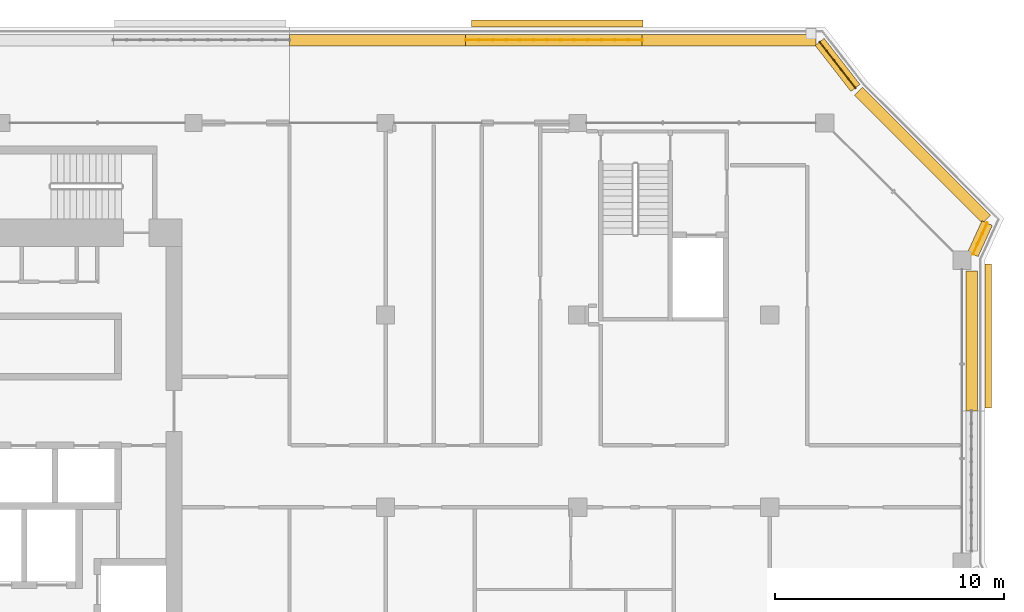
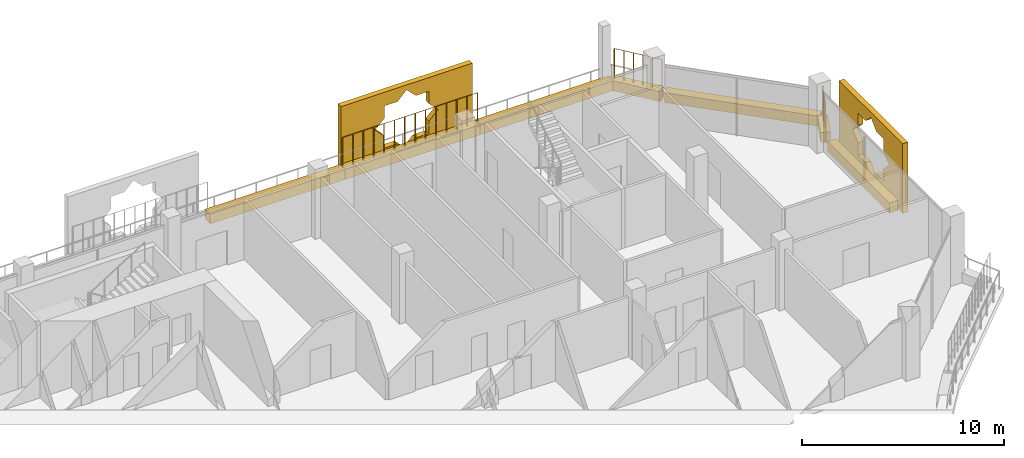
# One storey, part 22 of 22: 9 coverings, 3 railings.
"""IFC4 building model written with IfcOpenShell, lengths in metres."""

from ifc_helpers import new_model, si_unit, direction, frame, origin, origin_2d, place, context, subcontext, project, spatial, polyline, rectangle, circle, outline, extrude, material, material_profile, profile_set, type_object, element, save


model = new_model("IFC4")

# Units and contexts
model_context = context("Model", 3, precision=1e-05, world=origin(), true_north=direction((0.0, 1.0)))
body_context = subcontext(model_context, "Body", "Model", "MODEL_VIEW")
ifc_project = project(units=[si_unit("LENGTHUNIT", "METRE"), si_unit("AREAUNIT", "SQUARE_METRE"), si_unit("VOLUMEUNIT", "CUBIC_METRE"), si_unit("PLANEANGLEUNIT", "RADIAN"), si_unit("MASSUNIT", "GRAM", prefix="KILO")], contexts=[model_context])

# Site, building, storey
site_placement = place(None, origin())
site = spatial("IfcSite", under=ifc_project, at=site_placement, CompositionType="ELEMENT")
building_placement = place(site_placement, origin())
building = spatial("IfcBuilding", under=site, at=building_placement, Name="Kawkab Arch Medical Tower", CompositionType="ELEMENT")
storey_placement = place(building_placement, frame((0.0, 0.0, 298.60009765625)))
storey = spatial("IfcBuildingStorey", under=building, at=storey_placement, Name="L69", CompositionType="ELEMENT", Elevation=298.60009765625)

# Coverings
ifc_material_1 = material(Name="Bronze anodised aluminium mashrabiya panel, eight-point star pattern", Category="aluminium")
ifc_material_profile_1 = material_profile(ifc_material_1, outline(polyline([(-3.14990234375, -2.10009765625), (3.14990234375, -2.10009765625), (3.14990234375, 2.10009765625), (-3.14990234375, 2.10009765625), (-3.14990234375, -2.10009765625)]), holes=[polyline([(1.800048828125, 0.0), (1.272705078125, 0.527099609375), (1.272705078125, 1.272705078125), (0.527099609375, 1.272705078125), (0.0, 1.800048828125), (-0.527099609375, 1.272705078125), (-1.272705078125, 1.272705078125), (-1.272705078125, 0.527099609375), (-1.800048828125, 0.0), (-1.272705078125, -0.527099609375), (-1.272705078125, -1.272705078125), (-0.527099609375, -1.272705078125), (0.0, -1.800048828125), (0.527099609375, -1.272705078125), (1.272705078125, -1.272705078125), (1.272705078125, -0.527099609375), (1.800048828125, 0.0)])]), Name="Mashrabiya panel 6300x4200")
ifc_profile_set_1 = profile_set([ifc_material_profile_1], Name="Bronze anodised aluminium mashrabiya panel, eight-point star pattern")
covering_type_1 = type_object("IfcCoveringType", Name="Mashrabiya panel 6300 x 4200", PredefinedType="USERDEFINED", material=ifc_profile_set_1)
covering_1_placement = place(storey_placement, frame((59.800048828125, -9.31884765625, 1.699951171875), z_axis=(1.0, 0.0, 0.0), x_axis=(0.0, 1.0, 0.0)))
element("IfcCovering", 1, at=covering_1_placement, inside=storey, type_object=covering_type_1, Name="Mashrabiya panel L69.LOG-01-01.6", ObjectType="SCREEN", PredefinedType="USERDEFINED", context=body_context, shape_type="SweptSolid", body=[
    extrude(outline(polyline([(-3.14990234375, -2.10009765625), (3.14990234375, -2.10009765625), (3.14990234375, 2.10009765625), (-3.14990234375, 2.10009765625), (-3.14990234375, -2.10009765625)]), holes=[polyline([(1.800048828125, 0.0), (1.272705078125, 0.527099609375), (1.272705078125, 1.272705078125), (0.527099609375, 1.272705078125), (0.0, 1.800048828125), (-0.527099609375, 1.272705078125), (-1.272705078125, 1.272705078125), (-1.272705078125, 0.527099609375), (-1.800048828125, 0.0), (-1.272705078125, -0.527099609375), (-1.272705078125, -1.272705078125), (-0.527099609375, -1.272705078125), (0.0, -1.800048828125), (0.527099609375, -1.272705078125), (1.272705078125, -1.272705078125), (1.272705078125, -0.527099609375), (1.800048828125, 0.0)])]), origin(), (0.0, 0.0, 1.0), 0.300048828125),
])
ifc_material_2 = material(Name="Bronze anodised aluminium mashrabiya panel, eight-point star pattern", Category="aluminium")
ifc_material_profile_2 = material_profile(ifc_material_2, outline(polyline([(-3.75, -2.10009765625), (3.75, -2.10009765625), (3.75, 2.10009765625), (-3.75, 2.10009765625), (-3.75, -2.10009765625)]), holes=[polyline([(1.800048828125, 0.0), (1.272705078125, 0.527099609375), (1.272705078125, 1.272705078125), (0.527099609375, 1.272705078125), (0.0, 1.800048828125), (-0.527099609375, 1.272705078125), (-1.272705078125, 1.272705078125), (-1.272705078125, 0.527099609375), (-1.800048828125, 0.0), (-1.272705078125, -0.527099609375), (-1.272705078125, -1.272705078125), (-0.527099609375, -1.272705078125), (0.0, -1.800048828125), (0.527099609375, -1.272705078125), (1.272705078125, -1.272705078125), (1.272705078125, -0.527099609375), (1.800048828125, 0.0)])]), Name="Mashrabiya panel 7500x4200")
ifc_profile_set_2 = profile_set([ifc_material_profile_2], Name="Bronze anodised aluminium mashrabiya panel, eight-point star pattern")
covering_type_2 = type_object("IfcCoveringType", Name="Mashrabiya panel 7500 x 4200", PredefinedType="USERDEFINED", material=ifc_profile_set_2)
covering_2_placement = place(storey_placement, frame((41.09765625, 4.199951171875, 1.699951171875), z_axis=(0.0, 1.0, 0.0), x_axis=(-1.0, 0.0, 0.0)))
element("IfcCovering", 2, at=covering_2_placement, inside=storey, type_object=covering_type_2, Name="Mashrabiya panel L69.LOG-01-01.5", ObjectType="SCREEN", PredefinedType="USERDEFINED", context=body_context, shape_type="SweptSolid", body=[
    extrude(outline(polyline([(-3.75, -2.10009765625), (3.75, -2.10009765625), (3.75, 2.10009765625), (-3.75, 2.10009765625), (-3.75, -2.10009765625)]), holes=[polyline([(1.800048828125, 0.0), (1.272705078125, 0.527099609375), (1.272705078125, 1.272705078125), (0.527099609375, 1.272705078125), (0.0, 1.800048828125), (-0.527099609375, 1.272705078125), (-1.272705078125, 1.272705078125), (-1.272705078125, 0.527099609375), (-1.800048828125, 0.0), (-1.272705078125, -0.527099609375), (-1.272705078125, -1.272705078125), (-0.527099609375, -1.272705078125), (0.0, -1.800048828125), (0.527099609375, -1.272705078125), (1.272705078125, -1.272705078125), (1.272705078125, -0.527099609375), (1.800048828125, 0.0)])]), origin(), (0.0, 0.0, 1.0), 0.300048828125),
])
ifc_material_3 = material(Name="Planting soil in a precast trough", Category="concrete")
ifc_material_profile_3 = material_profile(ifc_material_3, rectangle(XDim=0.5, YDim=0.60009765625, at=origin_2d()), Name="Trough 500x600")
ifc_profile_set_3 = profile_set([ifc_material_profile_3], Name="Planting soil in a precast trough")
covering_type_3 = type_object("IfcCoveringType", Name="Planter trough 500 x 600", PredefinedType="USERDEFINED", material=ifc_profile_set_3)
covering_3_placement = place(storey_placement, frame((29.39990234375, 3.6201171875, 0.2998046875), z_axis=(1.0, 0.0, 0.0), x_axis=(0.0, 1.0, 0.0)))
element("IfcCovering", 3, at=covering_3_placement, inside=storey, type_object=covering_type_3, Name="Planter L69.LOG-01-01.16", ObjectType="PLANTER", PredefinedType="USERDEFINED", context=body_context, shape_type="SweptSolid", body=[
    extrude(rectangle(XDim=0.5, YDim=0.60009765625, at=origin_2d()), origin(), (0.0, 0.0, 1.0), 7.705078125),
])
covering_4_placement = place(storey_placement, frame((37.10498046875, 3.6201171875, 0.2998046875), z_axis=(1.0, 0.0, 0.0), x_axis=(0.0, 1.0, 0.0)))
element("IfcCovering", 4, at=covering_4_placement, inside=storey, type_object=covering_type_3, Name="Planter L69.LOG-01-01.17", ObjectType="PLANTER", PredefinedType="USERDEFINED", context=body_context, shape_type="SweptSolid", body=[
    extrude(rectangle(XDim=0.5, YDim=0.60009765625, at=origin_2d()), origin(), (0.0, 0.0, 1.0), 7.7060546875),
])
covering_5_placement = place(storey_placement, frame((44.81103515625, 3.6201171875, 0.2998046875), z_axis=(1.0, 0.0, 0.0), x_axis=(0.0, 1.0, 0.0)))
element("IfcCovering", 5, at=covering_5_placement, inside=storey, type_object=covering_type_3, Name="Planter L69.LOG-01-01.18", ObjectType="PLANTER", PredefinedType="USERDEFINED", context=body_context, shape_type="SweptSolid", body=[
    extrude(rectangle(XDim=0.5, YDim=0.60009765625, at=origin_2d()), origin(), (0.0, 0.0, 1.0), 7.60498046875),
])
covering_6_placement = place(storey_placement, frame((52.577880859375, 3.541015625, 0.2998046875), z_axis=(0.614099956103, -0.789228258436, 0.0), x_axis=(0.789228258436, 0.614099956103, 0.0)))
element("IfcCovering", 6, at=covering_6_placement, inside=storey, type_object=covering_type_3, Name="Planter L69.LOG-01-01.19", ObjectType="PLANTER", PredefinedType="USERDEFINED", context=body_context, shape_type="SweptSolid", body=[
    extrude(rectangle(XDim=0.5, YDim=0.60009765625, at=origin_2d()), origin(), (0.0, 0.0, 1.0), 2.545654296875),
])
covering_7_placement = place(storey_placement, frame((54.27294921875, 1.383056640625, 0.2998046875), z_axis=(0.707106781187, -0.707106781187, 0.0), x_axis=(0.707106781187, 0.707106781187, 0.0)))
element("IfcCovering", 7, at=covering_7_placement, inside=storey, type_object=covering_type_3, Name="Planter L69.LOG-01-01.20", ObjectType="PLANTER", PredefinedType="USERDEFINED", context=body_context, shape_type="SweptSolid", body=[
    extrude(rectangle(XDim=0.5, YDim=0.60009765625, at=origin_2d()), origin(), (0.0, 0.0, 1.0), 7.919677734375),
])
covering_8_placement = place(storey_placement, frame((59.902099609375, -4.37890625, 0.2998046875), z_axis=(-0.415189748133, -0.909734836667, 0.0), x_axis=(0.909734836667, -0.415189748133, 0.0)))
element("IfcCovering", 8, at=covering_8_placement, inside=storey, type_object=covering_type_3, Name="Planter L69.LOG-01-01.21", ObjectType="PLANTER", PredefinedType="USERDEFINED", context=body_context, shape_type="SweptSolid", body=[
    extrude(rectangle(XDim=0.5, YDim=0.60009765625, at=origin_2d()), origin(), (0.0, 0.0, 1.0), 1.498291015625),
])
covering_9_placement = place(storey_placement, frame((59.219970703125, -6.47998046875, 0.2998046875), z_axis=(0.0, -1.0, 0.0), x_axis=(1.0, 0.0, 0.0)))
element("IfcCovering", 9, at=covering_9_placement, inside=storey, type_object=covering_type_3, Name="Planter L69.LOG-01-01.22", ObjectType="PLANTER", PredefinedType="USERDEFINED", context=body_context, shape_type="SweptSolid", body=[
    extrude(rectangle(XDim=0.5, YDim=0.60009765625, at=origin_2d()), origin(), (0.0, 0.0, 1.0), 6.1201171875),
])

# Railings
ifc_material_4 = material(Name="Bronze anodised aluminium trellis for climbing plants", Category="aluminium")
railing_type = type_object("IfcRailingType", Name="Planting trellis 2400", PredefinedType="USERDEFINED", material=ifc_material_4)
railing_1_placement = place(storey_placement, frame((37.10498046875, 3.6201171875, 0.0)))
element("IfcRailing", 10, at=railing_1_placement, inside=storey, type_object=railing_type, Name="Planting trellis L69.LOG-01-01.17", ObjectType="TRELLIS", PredefinedType="USERDEFINED", context=body_context, shape_type="SweptSolid", body=[
    extrude(circle(Radius=0.01513671875, at=origin_2d()), frame((0.0, 0.0, 2.384765625), z_axis=(1.0, 0.0, 0.0), x_axis=(0.0, 1.0, 0.0)), (0.0, 0.0, 1.0), 7.7060546875),
    extrude(circle(Radius=0.030029296875, at=origin_2d()), origin(), (0.0, 0.0, 1.0), 2.369873046875),
    extrude(circle(Radius=0.030029296875, at=origin_2d()), frame((0.5927734375, 0.0, 0.0)), (0.0, 0.0, 1.0), 2.369873046875),
    extrude(circle(Radius=0.030029296875, at=origin_2d()), frame((1.185546875, 0.0, 0.0)), (0.0, 0.0, 1.0), 2.369873046875),
    extrude(circle(Radius=0.030029296875, at=origin_2d()), frame((1.7783203125, 0.0, 0.0)), (0.0, 0.0, 1.0), 2.369873046875),
    extrude(circle(Radius=0.030029296875, at=origin_2d()), frame((2.37109375, 0.0, 0.0)), (0.0, 0.0, 1.0), 2.369873046875),
    extrude(circle(Radius=0.030029296875, at=origin_2d()), frame((2.9638671875, 0.0, 0.0)), (0.0, 0.0, 1.0), 2.369873046875),
    extrude(circle(Radius=0.030029296875, at=origin_2d()), frame((3.556640625, 0.0, 0.0)), (0.0, 0.0, 1.0), 2.369873046875),
    extrude(circle(Radius=0.030029296875, at=origin_2d()), frame((4.1494140625, 0.0, 0.0)), (0.0, 0.0, 1.0), 2.369873046875),
    extrude(circle(Radius=0.030029296875, at=origin_2d()), frame((4.7421875, 0.0, 0.0)), (0.0, 0.0, 1.0), 2.369873046875),
    extrude(circle(Radius=0.030029296875, at=origin_2d()), frame((5.3349609375, 0.0, 0.0)), (0.0, 0.0, 1.0), 2.369873046875),
    extrude(circle(Radius=0.030029296875, at=origin_2d()), frame((5.927734375, 0.0, 0.0)), (0.0, 0.0, 1.0), 2.369873046875),
    extrude(circle(Radius=0.030029296875, at=origin_2d()), frame((6.5205078125, 0.0, 0.0)), (0.0, 0.0, 1.0), 2.369873046875),
    extrude(circle(Radius=0.030029296875, at=origin_2d()), frame((7.11328125, 0.0, 0.0)), (0.0, 0.0, 1.0), 2.369873046875),
    extrude(circle(Radius=0.030029296875, at=origin_2d()), frame((7.7060546875, 0.0, 0.0)), (0.0, 0.0, 1.0), 2.369873046875),
])
railing_2_placement = place(storey_placement, frame((52.577880859375, 3.541015625, 0.0)))
element("IfcRailing", 11, at=railing_2_placement, inside=storey, type_object=railing_type, Name="Planting trellis L69.LOG-01-01.19", ObjectType="TRELLIS", PredefinedType="USERDEFINED", context=body_context, shape_type="SweptSolid", body=[
    extrude(circle(Radius=0.01513671875, at=origin_2d()), frame((0.0, 0.0, 2.384765625), z_axis=(0.614099956103, -0.789228258436, 0.0), x_axis=(0.789228258436, 0.614099956103, 0.0)), (0.0, 0.0, 1.0), 2.545654296875),
    extrude(circle(Radius=0.030029296875, at=origin_2d()), origin(), (0.0, 0.0, 1.0), 2.369873046875),
    extrude(circle(Radius=0.030029296875, at=origin_2d()), frame((0.312744140625, -0.40185546875, 0.0)), (0.0, 0.0, 1.0), 2.369873046875),
    extrude(circle(Radius=0.030029296875, at=origin_2d()), frame((0.625244140625, -0.8037109375, 0.0)), (0.0, 0.0, 1.0), 2.369873046875),
    extrude(circle(Radius=0.030029296875, at=origin_2d()), frame((0.93798828125, -1.205322265625, 0.0)), (0.0, 0.0, 1.0), 2.369873046875),
    extrude(circle(Radius=0.030029296875, at=origin_2d()), frame((1.25048828125, -1.607177734375, 0.0)), (0.0, 0.0, 1.0), 2.369873046875),
    extrude(circle(Radius=0.030029296875, at=origin_2d()), frame((1.563232421875, -2.009033203125, 0.0)), (0.0, 0.0, 1.0), 2.369873046875),
])
railing_3_placement = place(storey_placement, frame((59.902099609375, -4.37890625, 0.0)))
element("IfcRailing", 12, at=railing_3_placement, inside=storey, type_object=railing_type, Name="Planting trellis L69.LOG-01-01.21", ObjectType="TRELLIS", PredefinedType="USERDEFINED", context=body_context, shape_type="SweptSolid", body=[
    extrude(circle(Radius=0.01513671875, at=origin_2d()), frame((0.0, 0.0, 2.384765625), z_axis=(-0.415189748133, -0.909734836667, 0.0), x_axis=(0.909734836667, -0.415189748133, 0.0)), (0.0, 0.0, 1.0), 1.498291015625),
    extrude(circle(Radius=0.030029296875, at=origin_2d()), origin(), (0.0, 0.0, 1.0), 2.369873046875),
    extrude(circle(Radius=0.030029296875, at=origin_2d()), frame((-0.207275390625, -0.454345703125, 0.0)), (0.0, 0.0, 1.0), 2.369873046875),
    extrude(circle(Radius=0.030029296875, at=origin_2d()), frame((-0.414794921875, -0.90869140625, 0.0)), (0.0, 0.0, 1.0), 2.369873046875),
    extrude(circle(Radius=0.030029296875, at=origin_2d()), frame((-0.6220703125, -1.363037109375, 0.0)), (0.0, 0.0, 1.0), 2.369873046875),
])

save(model, "model.ifc")
